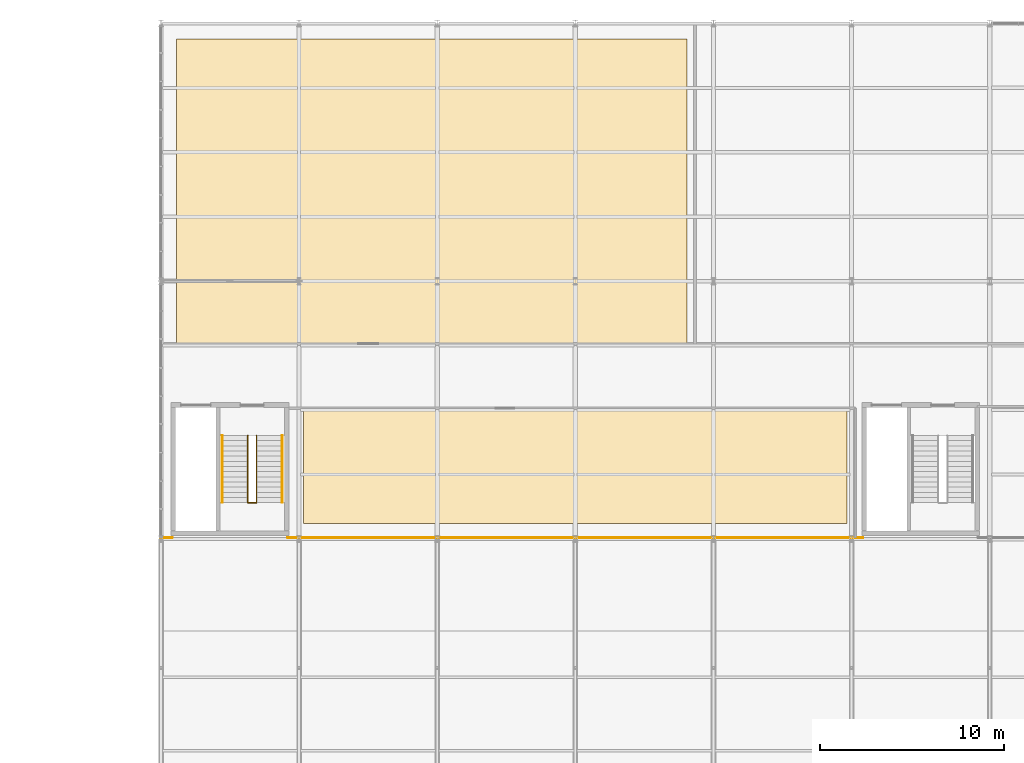
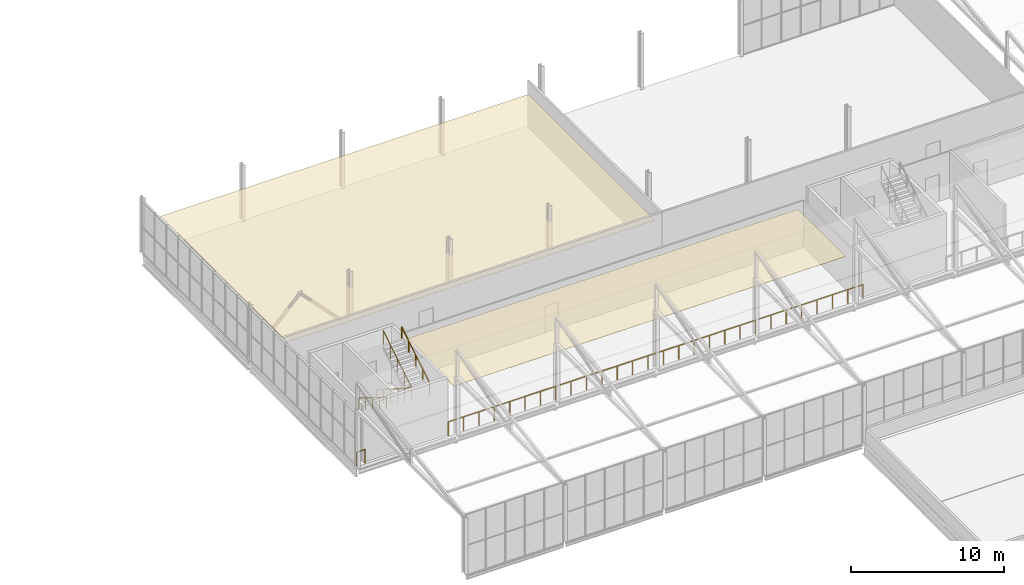
# One storey, part 103 of 104: 5 railings, 2 coverings.
"""IFC4 building model written with IfcOpenShell, lengths in metres."""

from ifc_helpers import new_model, si_unit, direction, frame, origin, origin_2d, place, context, subcontext, project, spatial, polyline, circle, outline, extrude, material, layer, layer_set, type_object, element, save


model = new_model("IFC4")

# Units and contexts
model_context = context("Model", 3, precision=1e-05, world=origin(), true_north=direction((0.0, 1.0)))
body_context = subcontext(model_context, "Body", "Model", "MODEL_VIEW")
ifc_project = project(units=[si_unit("LENGTHUNIT", "METRE"), si_unit("AREAUNIT", "SQUARE_METRE"), si_unit("VOLUMEUNIT", "CUBIC_METRE"), si_unit("PLANEANGLEUNIT", "RADIAN"), si_unit("MASSUNIT", "GRAM", prefix="KILO")], contexts=[model_context])

# Site, building, storey
site_placement = place(None, origin())
site = spatial("IfcSite", under=ifc_project, at=site_placement, CompositionType="ELEMENT")
building_placement = place(site_placement, origin())
building = spatial("IfcBuilding", under=site, at=building_placement, Name="Solvenia Promenade Tram Depot", CompositionType="ELEMENT")
storey_placement = place(building_placement, frame((0.0, 0.0, 9.0)))
storey = spatial("IfcBuildingStorey", under=building, at=storey_placement, Name="L02", CompositionType="ELEMENT", Elevation=9.0)

# Coverings
ifc_material_1 = material(Name="Mineral-fibre acoustic ceiling tile", Category="other")
ifc_layer = layer(ifc_material_1, 0.02001953125, Name="Mineral-fibre acoustic ceiling tile", Category="other")
ifc_layer_set = layer_set([ifc_layer], Name="Mineral-fibre acoustic ceiling tile")
covering_type = type_object("IfcCoveringType", Name="Ceiling-Acoustic-20", PredefinedType="CEILING", material=ifc_layer_set)
covering_1_placement = place(storey_placement, frame((0.0, 0.0, 3.14990234375)))
element("IfcCovering", 1, at=covering_1_placement, inside=storey, type_object=covering_type, Name="Metrology Calibration Room Acoustic Ceiling", PredefinedType="CEILING", context=body_context, shape_type="SweptSolid", body=[
    extrude(outline(polyline([(112.75, 38.85009765625), (142.25, 38.85009765625), (142.25, 45.06005859375), (112.75, 45.06005859375), (112.75, 38.85009765625)])), origin(), (0.0, 0.0, 1.0), 0.02001953125),
])
covering_2_placement = place(storey_placement, frame((0.0, 0.0, 3.14990234375)))
element("IfcCovering", 2, at=covering_2_placement, inside=storey, type_object=covering_type, Name="Signalling Laboratory Acoustic Ceiling", PredefinedType="CEILING", context=body_context, shape_type="SweptSolid", body=[
    extrude(outline(polyline([(105.85009765625, 48.639892578125), (133.550048828125, 48.639892578125), (133.550048828125, 65.14990234375), (105.85009765625, 65.14990234375), (105.85009765625, 48.639892578125)])), origin(), (0.0, 0.0, 1.0), 0.02001953125),
])

# Railings
ifc_material_2 = material(Name="Anodized aluminium AW-6063 T6", Category="aluminium")
railing_type_1 = type_object("IfcRailingType", Name="Guard-Stair-1100", PredefinedType="GUARDRAIL", material=ifc_material_2)
railing_1_placement = place(storey_placement, frame((109.7099609375, 43.6201171875, 0.0)))
element("IfcRailing", 3, at=railing_1_placement, inside=storey, type_object=railing_type_1, Name="Stair Inner Well Guard ST-05-L02", PredefinedType="GUARDRAIL", context=body_context, shape_type="SweptSolid", body=[
    extrude(circle(Radius=0.02392578125, at=origin_2d()), frame((0.0, 0.0, 1.09619140625), z_axis=(0.0, -0.850622404505, 0.525777067734), x_axis=(1.0, 0.0, 0.0)), (0.0, 0.0, 1.0), 4.279296875),
    extrude(circle(Radius=0.02392578125, at=origin_2d()), frame((0.0, -3.64013671875, 3.34619140625), z_axis=(1.0, 0.0, 0.0), x_axis=(0.0, 1.0, 0.0)), (0.0, 0.0, 1.0), 0.47998046875),
    extrude(circle(Radius=0.02392578125, at=origin_2d()), frame((0.47998046875, -3.64013671875, 3.34619140625), z_axis=(0.0, 0.850622404505, 0.525777067734), x_axis=(-1.0, 0.0, 0.0)), (0.0, 0.0, 1.0), 4.279296875),
    extrude(circle(Radius=0.02099609375, at=origin_2d()), origin(), (0.0, 0.0, 1.0), 1.072021484375),
    extrude(circle(Radius=0.02099609375, at=origin_2d()), frame((0.0, -0.91015625, 0.5625)), (0.0, 0.0, 1.0), 1.072021484375),
    extrude(circle(Radius=0.02099609375, at=origin_2d()), frame((0.0, -1.820068359375, 1.125)), (0.0, 0.0, 1.0), 1.072021484375),
    extrude(circle(Radius=0.02099609375, at=origin_2d()), frame((0.0, -2.72998046875, 1.6875)), (0.0, 0.0, 1.0), 1.072021484375),
    extrude(circle(Radius=0.02099609375, at=origin_2d()), frame((0.0, -3.64013671875, 2.25)), (0.0, 0.0, 1.0), 1.072021484375),
    extrude(circle(Radius=0.02099609375, at=origin_2d()), frame((0.47998046875, -3.64013671875, 2.25)), (0.0, 0.0, 1.0), 1.072021484375),
    extrude(circle(Radius=0.02099609375, at=origin_2d()), frame((0.47998046875, -2.72998046875, 2.8125)), (0.0, 0.0, 1.0), 1.072021484375),
    extrude(circle(Radius=0.02099609375, at=origin_2d()), frame((0.47998046875, -1.820068359375, 3.375)), (0.0, 0.0, 1.0), 1.072021484375),
    extrude(circle(Radius=0.02099609375, at=origin_2d()), frame((0.47998046875, -0.91015625, 3.9375)), (0.0, 0.0, 1.0), 1.072021484375),
    extrude(circle(Radius=0.02099609375, at=origin_2d()), frame((0.47998046875, 0.0, 4.5)), (0.0, 0.0, 1.0), 1.072021484375),
])
railing_2_placement = place(storey_placement, frame((105.0, 38.080078125, 0.0)))
element("IfcRailing", 4, at=railing_2_placement, inside=storey, type_object=railing_type_1, Name="L02 Workshop Mezzanine Overlook Guard 1", PredefinedType="GUARDRAIL", context=body_context, shape_type="SweptSolid", body=[
    extrude(circle(Radius=0.02392578125, at=origin_2d()), frame((0.0, 0.0, 1.09619140625), z_axis=(1.0, 0.0, 0.0), x_axis=(0.0, 1.0, 0.0)), (0.0, 0.0, 1.0), 0.6201171875),
    extrude(circle(Radius=0.02099609375, at=origin_2d()), origin(), (0.0, 0.0, 1.0), 1.072021484375),
    extrude(circle(Radius=0.02099609375, at=origin_2d()), frame((0.6201171875, 0.0, 0.0)), (0.0, 0.0, 1.0), 1.072021484375),
])
railing_3_placement = place(storey_placement, frame((111.8798828125, 38.080078125, 0.0)))
element("IfcRailing", 5, at=railing_3_placement, inside=storey, type_object=railing_type_1, Name="L02 Workshop Mezzanine Overlook Guard 2", PredefinedType="GUARDRAIL", context=body_context, shape_type="SweptSolid", body=[
    extrude(circle(Radius=0.02392578125, at=origin_2d()), frame((0.0, 0.0, 1.09619140625), z_axis=(1.0, 0.0, 0.0), x_axis=(0.0, 1.0, 0.0)), (0.0, 0.0, 1.0), 31.240234375),
    extrude(circle(Radius=0.02099609375, at=origin_2d()), origin(), (0.0, 0.0, 1.0), 1.072021484375),
    extrude(circle(Radius=0.02099609375, at=origin_2d()), frame((1.156982421875, 0.0, 0.0)), (0.0, 0.0, 1.0), 1.072021484375),
    extrude(circle(Radius=0.02099609375, at=origin_2d()), frame((2.314208984375, 0.0, 0.0)), (0.0, 0.0, 1.0), 1.072021484375),
    extrude(circle(Radius=0.02099609375, at=origin_2d()), frame((3.47119140625, 0.0, 0.0)), (0.0, 0.0, 1.0), 1.072021484375),
    extrude(circle(Radius=0.02099609375, at=origin_2d()), frame((4.628173828125, 0.0, 0.0)), (0.0, 0.0, 1.0), 1.072021484375),
    extrude(circle(Radius=0.02099609375, at=origin_2d()), frame((5.78515625, 0.0, 0.0)), (0.0, 0.0, 1.0), 1.072021484375),
    extrude(circle(Radius=0.02099609375, at=origin_2d()), frame((6.9423828125, 0.0, 0.0)), (0.0, 0.0, 1.0), 1.072021484375),
    extrude(circle(Radius=0.02099609375, at=origin_2d()), frame((8.099365234375, 0.0, 0.0)), (0.0, 0.0, 1.0), 1.072021484375),
    extrude(circle(Radius=0.02099609375, at=origin_2d()), frame((9.25634765625, 0.0, 0.0)), (0.0, 0.0, 1.0), 1.072021484375),
    extrude(circle(Radius=0.02099609375, at=origin_2d()), frame((10.413330078125, 0.0, 0.0)), (0.0, 0.0, 1.0), 1.072021484375),
    extrude(circle(Radius=0.02099609375, at=origin_2d()), frame((11.570556640625, 0.0, 0.0)), (0.0, 0.0, 1.0), 1.072021484375),
    extrude(circle(Radius=0.02099609375, at=origin_2d()), frame((12.7275390625, 0.0, 0.0)), (0.0, 0.0, 1.0), 1.072021484375),
    extrude(circle(Radius=0.02099609375, at=origin_2d()), frame((13.884521484375, 0.0, 0.0)), (0.0, 0.0, 1.0), 1.072021484375),
    extrude(circle(Radius=0.02099609375, at=origin_2d()), frame((15.04150390625, 0.0, 0.0)), (0.0, 0.0, 1.0), 1.072021484375),
    extrude(circle(Radius=0.02099609375, at=origin_2d()), frame((16.19873046875, 0.0, 0.0)), (0.0, 0.0, 1.0), 1.072021484375),
    extrude(circle(Radius=0.02099609375, at=origin_2d()), frame((17.355712890625, 0.0, 0.0)), (0.0, 0.0, 1.0), 1.072021484375),
    extrude(circle(Radius=0.02099609375, at=origin_2d()), frame((18.5126953125, 0.0, 0.0)), (0.0, 0.0, 1.0), 1.072021484375),
    extrude(circle(Radius=0.02099609375, at=origin_2d()), frame((19.669677734375, 0.0, 0.0)), (0.0, 0.0, 1.0), 1.072021484375),
    extrude(circle(Radius=0.02099609375, at=origin_2d()), frame((20.826904296875, 0.0, 0.0)), (0.0, 0.0, 1.0), 1.072021484375),
    extrude(circle(Radius=0.02099609375, at=origin_2d()), frame((21.98388671875, 0.0, 0.0)), (0.0, 0.0, 1.0), 1.072021484375),
    extrude(circle(Radius=0.02099609375, at=origin_2d()), frame((23.140869140625, 0.0, 0.0)), (0.0, 0.0, 1.0), 1.072021484375),
    extrude(circle(Radius=0.02099609375, at=origin_2d()), frame((24.2978515625, 0.0, 0.0)), (0.0, 0.0, 1.0), 1.072021484375),
    extrude(circle(Radius=0.02099609375, at=origin_2d()), frame((25.455078125, 0.0, 0.0)), (0.0, 0.0, 1.0), 1.072021484375),
    extrude(circle(Radius=0.02099609375, at=origin_2d()), frame((26.612060546875, 0.0, 0.0)), (0.0, 0.0, 1.0), 1.072021484375),
    extrude(circle(Radius=0.02099609375, at=origin_2d()), frame((27.76904296875, 0.0, 0.0)), (0.0, 0.0, 1.0), 1.072021484375),
    extrude(circle(Radius=0.02099609375, at=origin_2d()), frame((28.926025390625, 0.0, 0.0)), (0.0, 0.0, 1.0), 1.072021484375),
    extrude(circle(Radius=0.02099609375, at=origin_2d()), frame((30.083251953125, 0.0, 0.0)), (0.0, 0.0, 1.0), 1.072021484375),
    extrude(circle(Radius=0.02099609375, at=origin_2d()), frame((31.240234375, 0.0, 0.0)), (0.0, 0.0, 1.0), 1.072021484375),
])
railing_type_2 = type_object("IfcRailingType", Name="Handrail-Stair-920", PredefinedType="HANDRAIL", material=ifc_material_2)
railing_4_placement = place(storey_placement, frame((108.320068359375, 43.6201171875, 0.0)))
element("IfcRailing", 6, at=railing_4_placement, inside=storey, type_object=railing_type_2, Name="Stair Wall Handrail ST-05-L02-F1", PredefinedType="HANDRAIL", context=body_context, shape_type="SweptSolid", body=[
    extrude(circle(Radius=0.02392578125, at=origin_2d()), frame((0.0, 0.0, 0.89599609375), z_axis=(0.0, -0.850622404505, 0.525777067734), x_axis=(1.0, 0.0, 0.0)), (0.0, 0.0, 1.0), 4.279296875),
    extrude(circle(Radius=0.02099609375, at=origin_2d()), origin(), (0.0, 0.0, 1.0), 0.871826171875),
    extrude(circle(Radius=0.02099609375, at=origin_2d()), frame((0.0, -0.91015625, 0.5625)), (0.0, 0.0, 1.0), 0.871826171875),
    extrude(circle(Radius=0.02099609375, at=origin_2d()), frame((0.0, -1.820068359375, 1.125)), (0.0, 0.0, 1.0), 0.871826171875),
    extrude(circle(Radius=0.02099609375, at=origin_2d()), frame((0.0, -2.72998046875, 1.6875)), (0.0, 0.0, 1.0), 0.871826171875),
    extrude(circle(Radius=0.02099609375, at=origin_2d()), frame((0.0, -3.64013671875, 2.25)), (0.0, 0.0, 1.0), 0.871826171875),
])
railing_5_placement = place(storey_placement, frame((111.580078125, 39.97998046875, 2.25)))
element("IfcRailing", 7, at=railing_5_placement, inside=storey, type_object=railing_type_2, Name="Stair Wall Handrail ST-05-L02-F2", PredefinedType="HANDRAIL", context=body_context, shape_type="SweptSolid", body=[
    extrude(circle(Radius=0.02392578125, at=origin_2d()), frame((0.0, 0.0, 0.89599609375), z_axis=(0.0, 0.850622404505, 0.525777067734), x_axis=(-1.0, 0.0, 0.0)), (0.0, 0.0, 1.0), 4.279296875),
    extrude(circle(Radius=0.02099609375, at=origin_2d()), origin(), (0.0, 0.0, 1.0), 0.871826171875),
    extrude(circle(Radius=0.02099609375, at=origin_2d()), frame((0.0, 0.91015625, 0.5625)), (0.0, 0.0, 1.0), 0.871826171875),
    extrude(circle(Radius=0.02099609375, at=origin_2d()), frame((0.0, 1.820068359375, 1.125)), (0.0, 0.0, 1.0), 0.871826171875),
    extrude(circle(Radius=0.02099609375, at=origin_2d()), frame((0.0, 2.72998046875, 1.6875)), (0.0, 0.0, 1.0), 0.871826171875),
    extrude(circle(Radius=0.02099609375, at=origin_2d()), frame((0.0, 3.64013671875, 2.25)), (0.0, 0.0, 1.0), 0.871826171875),
])

save(model, "model.ifc")
